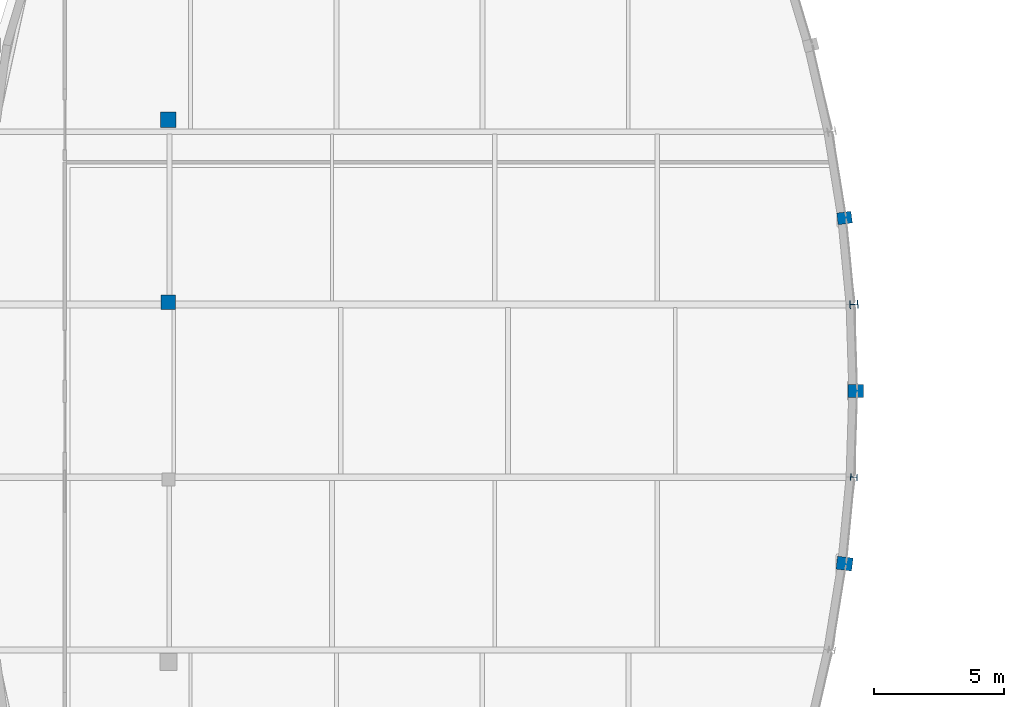
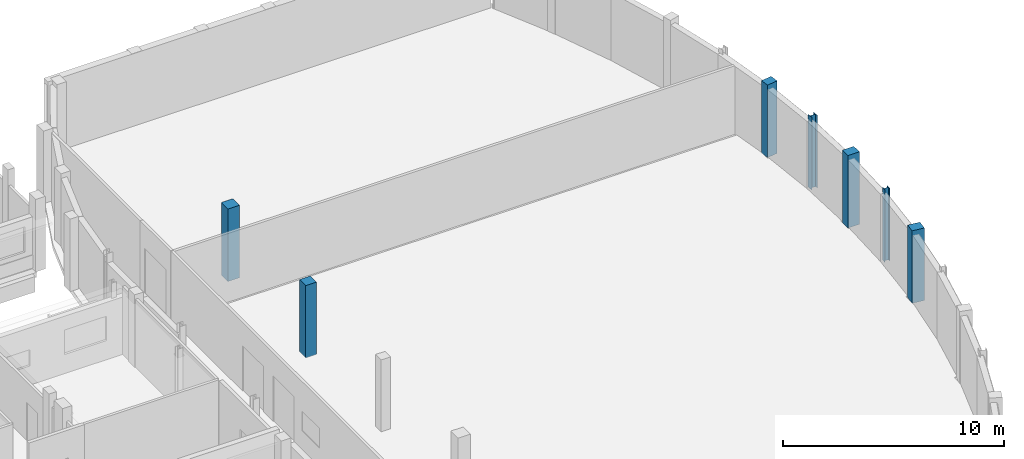
# One storey, part 14 of 105: 7 columns.
"""IFC4 building model written with IfcOpenShell, lengths in metres."""

from ifc_helpers import new_model, si_unit, direction, frame, origin, origin_2d, place, context, subcontext, project, spatial, rectangle, i_section, extrude, material, material_profile, profile_set, type_object, element, save


model = new_model("IFC4")

# Units and contexts
model_context = context("Model", 3, precision=1e-05, world=origin(), true_north=direction((0.0, 1.0)))
body_context = subcontext(model_context, "Body", "Model", "MODEL_VIEW")
ifc_project = project(units=[si_unit("LENGTHUNIT", "METRE"), si_unit("AREAUNIT", "SQUARE_METRE"), si_unit("VOLUMEUNIT", "CUBIC_METRE"), si_unit("PLANEANGLEUNIT", "RADIAN"), si_unit("MASSUNIT", "GRAM", prefix="KILO")], contexts=[model_context])

# Site, building, storey
site_placement = place(None, origin())
site = spatial("IfcSite", under=ifc_project, at=site_placement, CompositionType="ELEMENT")
building_placement = place(site_placement, origin())
building = spatial("IfcBuilding", under=site, at=building_placement, Name="Kelanivale Promenade Academy", CompositionType="ELEMENT")
storey_placement = place(building_placement, frame((0.0, 0.0, 4.199951171875)))
storey = spatial("IfcBuildingStorey", under=building, at=storey_placement, Name="L01", CompositionType="ELEMENT", Elevation=4.199951171875)

# Columns
ifc_material_1 = material(Name="Concrete C40/50", Category="concrete")
ifc_material_profile_1 = material_profile(ifc_material_1, rectangle(XDim=0.550048828125, YDim=0.550048828125, at=origin_2d()), Name="RC-COL 550x550")
ifc_profile_set_1 = profile_set([ifc_material_profile_1], Name="Concrete C40/50")
column_type_1 = type_object("IfcColumnType", Name="C-04 RC-COL 550x550", PredefinedType="COLUMN", material=ifc_profile_set_1)
column_1_placement = place(storey_placement, frame((130.0, 59.60009765625, 0.0), z_axis=(0.0, 0.0, 1.0), x_axis=(1.0, 0.0, 0.0)))
element("IfcColumn", 1, at=column_1_placement, inside=storey, type_object=column_type_1, Name="Column C-04 at (130.0, 59.6) L01", PredefinedType="COLUMN", context=body_context, shape_type="SweptSolid", body=[
    extrude(rectangle(XDim=0.550048828125, YDim=0.550048828125, at=origin_2d()), origin(), (0.0, 0.0, 1.0), 4.0),
])
ifc_material_profile_2 = material_profile(ifc_material_1, rectangle(XDim=0.60009765625, YDim=0.60009765625, at=origin_2d()), Name="RC-COL 600x600")
ifc_profile_set_2 = profile_set([ifc_material_profile_2], Name="Concrete C40/50")
column_type_2 = type_object("IfcColumnType", Name="C-05 RC-COL 600x600", PredefinedType="COLUMN", material=ifc_profile_set_2)
column_2_placement = place(storey_placement, frame((130.0, 66.60009765625, 0.0), z_axis=(0.0, 0.0, 1.0), x_axis=(1.0, 0.0, 0.0)))
element("IfcColumn", 2, at=column_2_placement, inside=storey, type_object=column_type_2, Name="Column C-05 at (130.0, 66.6) L01", PredefinedType="COLUMN", context=body_context, shape_type="SweptSolid", body=[
    extrude(rectangle(XDim=0.60009765625, YDim=0.60009765625, at=origin_2d()), origin(), (0.0, 0.0, 1.0), 4.0),
])
ifc_material_profile_3 = material_profile(ifc_material_1, rectangle(XDim=0.449951171875, YDim=0.550048828125, at=origin_2d()), Name="RC-PIL 450x550")
ifc_profile_set_3 = profile_set([ifc_material_profile_3], Name="Concrete C40/50")
column_type_3 = type_object("IfcColumnType", Name="PL-17 RC-PIL 450x550", PredefinedType="PILASTER", material=ifc_profile_set_3)
column_3_placement = place(storey_placement, frame((155.93603515625, 62.8291015625, 0.0), z_axis=(0.0, 0.0, 1.0), x_axis=(-0.12741083733, 0.991850028246, 0.0)))
element("IfcColumn", 3, at=column_3_placement, inside=storey, type_object=column_type_3, Name="Column PL-17 at (155.9, 62.8) L01", PredefinedType="PILASTER", context=body_context, shape_type="SweptSolid", body=[
    extrude(rectangle(XDim=0.449951171875, YDim=0.550048828125, at=origin_2d()), origin(), (0.0, 0.0, 1.0), 4.0),
])
ifc_material_profile_4 = material_profile(ifc_material_1, rectangle(XDim=0.5, YDim=0.60009765625, at=origin_2d()), Name="RC-PIL 500x600")
ifc_profile_set_4 = profile_set([ifc_material_profile_4], Name="Concrete C40/50")
column_type_4 = type_object("IfcColumnType", Name="PL-18 RC-PIL 500x600", PredefinedType="PILASTER", material=ifc_profile_set_4)
for number, where, z_axis, x_axis, name in (
    (4, (155.93603515625, 49.571044921875, 0.0), (0.0, 0.0, 1.0), (0.12741083733, 0.991850028246, 0.0), "Column PL-18 at (155.9, 49.6) L01"),
    (5, (156.360107421875, 56.199951171875, 0.0), (0.0, 0.0, 1.0), (0.0, 1.0, 0.0), "Column PL-18 at (156.4, 56.2) L01"),
):
    element("IfcColumn", number, at=place(storey_placement, frame(where, z_axis=z_axis, x_axis=x_axis)), inside=storey, type_object=column_type_4, Name=name, PredefinedType="PILASTER", context=body_context, shape_type="SweptSolid", body=[
        extrude(rectangle(XDim=0.5, YDim=0.60009765625, at=origin_2d()), origin(), (0.0, 0.0, 1.0), 4.0),
    ])
ifc_material_2 = material(Name="Steel S355", Category="steel")
ifc_material_profile_5 = material_profile(ifc_material_2, i_section(OverallWidth=0.25634765625, OverallDepth=0.26025390625, WebThickness=0.01025390625, FlangeThickness=0.017333984375, FilletRadius=0.0126953125, at=origin_2d()), Name="UC 254x254x89")
ifc_profile_set_5 = profile_set([ifc_material_profile_5], Name="Steel S355")
column_type_5 = type_object("IfcColumnType", Name="SC-03 UC 254x254x89", PredefinedType="COLUMN", material=ifc_profile_set_5)
column_4_placement = place(storey_placement, frame((156.2939453125, 52.885986328125, 0.0), z_axis=(0.0, 0.0, 1.0), x_axis=(0.063661438132, 0.99797155335, 0.0)))
element("IfcColumn", 6, at=column_4_placement, inside=storey, type_object=column_type_5, Name="Column SC-03 at (156.3, 52.9) L01", PredefinedType="COLUMN", context=body_context, shape_type="SweptSolid", body=[
    extrude(i_section(OverallWidth=0.25634765625, OverallDepth=0.26025390625, WebThickness=0.01025390625, FlangeThickness=0.017333984375, FilletRadius=0.0126953125, at=origin_2d()), origin(), (0.0, 0.0, 1.0), 4.0),
])
ifc_material_profile_6 = material_profile(ifc_material_2, i_section(OverallWidth=0.307373046875, OverallDepth=0.314453125, WebThickness=0.011962890625, FlangeThickness=0.018798828125, FilletRadius=0.01513671875, at=origin_2d()), Name="UC 305x305x118")
ifc_profile_set_6 = profile_set([ifc_material_profile_6], Name="Steel S355")
column_type_6 = type_object("IfcColumnType", Name="SC-04 UC 305x305x118", PredefinedType="COLUMN", material=ifc_profile_set_6)
column_5_placement = place(storey_placement, frame((156.2939453125, 59.513916015625, 0.0), z_axis=(0.0, 0.0, 1.0), x_axis=(-0.063661438132, 0.99797155335, 0.0)))
element("IfcColumn", 7, at=column_5_placement, inside=storey, type_object=column_type_6, Name="Column SC-04 at (156.3, 59.5) L01", PredefinedType="COLUMN", context=body_context, shape_type="SweptSolid", body=[
    extrude(i_section(OverallWidth=0.307373046875, OverallDepth=0.314453125, WebThickness=0.011962890625, FlangeThickness=0.018798828125, FilletRadius=0.01513671875, at=origin_2d()), origin(), (0.0, 0.0, 1.0), 4.0),
])

save(model, "model.ifc")
